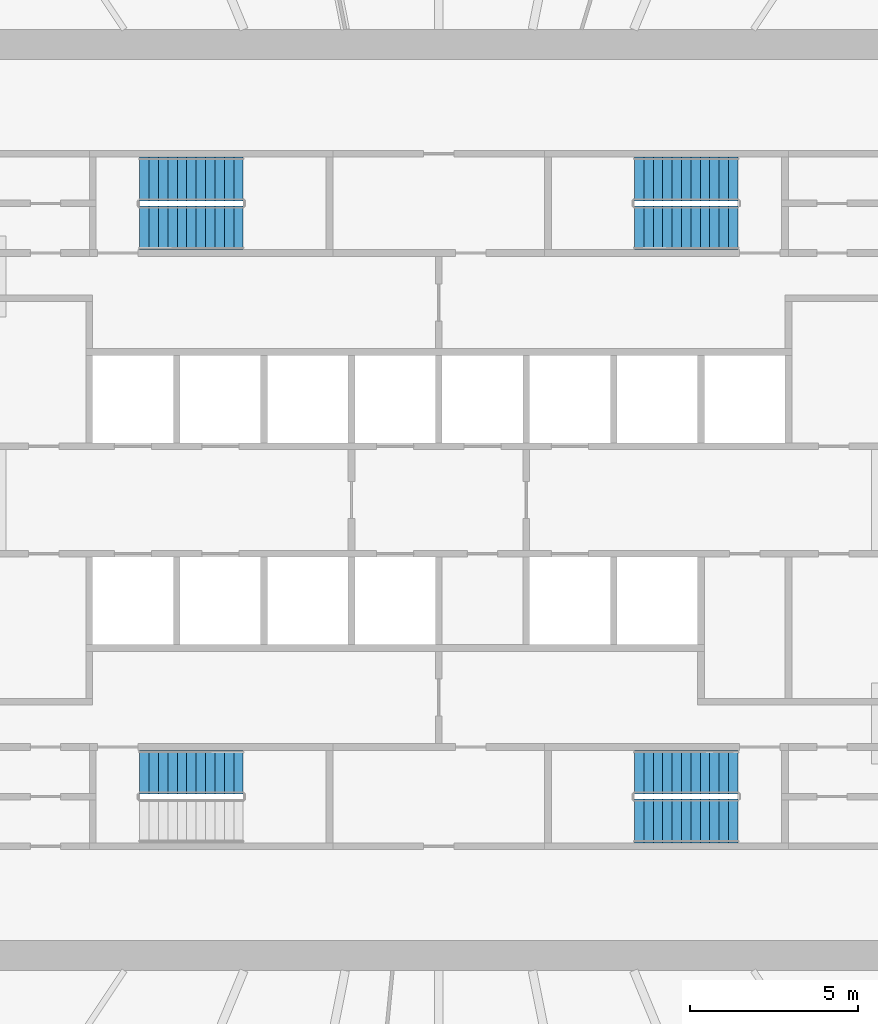
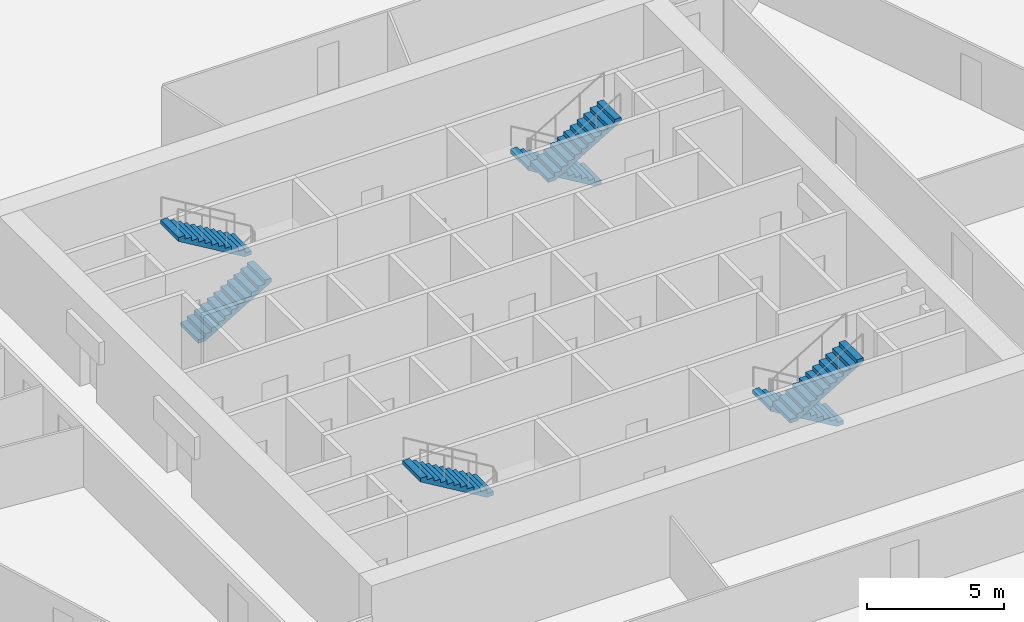
# One storey, part 8 of 9: 7 stair flights, 4 elements without a shape of their own.
"""IFC4 building model written with IfcOpenShell, lengths in metres."""

from ifc_helpers import new_model, si_unit, direction, frame, origin, place, context, subcontext, project, spatial, polyline, outline, extrude, material, type_object, element, aggregate, save


model = new_model("IFC4")

# Units and contexts
model_context = context("Model", 3, precision=1e-05, world=origin(), true_north=direction((0.0, 1.0)))
body_context = subcontext(model_context, "Body", "Model", "MODEL_VIEW")
ifc_project = project(units=[si_unit("LENGTHUNIT", "METRE"), si_unit("AREAUNIT", "SQUARE_METRE"), si_unit("VOLUMEUNIT", "CUBIC_METRE"), si_unit("PLANEANGLEUNIT", "RADIAN"), si_unit("MASSUNIT", "GRAM", prefix="KILO")], contexts=[model_context])

# Site, building, storey
site_placement = place(None, origin())
site = spatial("IfcSite", under=ifc_project, at=site_placement, CompositionType="ELEMENT")
building_placement = place(site_placement, origin())
building = spatial("IfcBuilding", under=site, at=building_placement, Name="Corvane Civic Tower", CompositionType="ELEMENT")
storey_placement = place(building_placement, frame((0.0, 0.0, 164.0)))
storey = spatial("IfcBuildingStorey", under=building, at=storey_placement, Name="L38", CompositionType="ELEMENT", Elevation=164.0)

# Stair, stair flights
ifc_material_1 = material(Name="Concrete C40/50", Category="concrete")
stair_type = type_object("IfcStairType", Name="ST-STAIR-HALFTURN", PredefinedType="HALF_TURN_STAIR", material=ifc_material_1)
stair_1_placement = place(storey_placement, origin())
stair_1 = element("IfcStair", 1, at=stair_1_placement, inside=storey, type_object=stair_type, Name="L38 Exit stair ST1", PredefinedType="HALF_TURN_STAIR")
ifc_material_2 = material(Name="Concrete C40/50", Category="concrete")
stair_flight_type = type_object("IfcStairFlightType", Name="ST-FLIGHT-RC", PredefinedType="STRAIGHT", material=ifc_material_2)
stair_flight_1_placement = place(storey_placement, frame((8.89990234375, 9.550048828125, 0.0), z_axis=(0.0, 0.0, 1.0), x_axis=(-1.0, 0.0, 0.0)))
stair_flight_1 = element("IfcStairFlight", 2, at=stair_flight_1_placement, type_object=stair_flight_type, Name="ST1 flight 1", NumberOfRisers=12, NumberOfTreads=11, PredefinedType="STRAIGHT", RiserHeight=0.166666667, TreadLength=0.28, context=body_context, shape_type="SweptSolid", body=[
    extrude(outline(polyline([(0.0, 0.0), (0.0, 0.166748046875), (0.280029296875, 0.166748046875), (0.280029296875, 0.333251953125), (0.56005859375, 0.333251953125), (0.56005859375, 0.5), (0.840087890625, 0.5), (0.840087890625, 0.666748046875), (1.1201171875, 0.666748046875), (1.1201171875, 0.833251953125), (1.39990234375, 0.833251953125), (1.39990234375, 1.0), (1.679931640625, 1.0), (1.679931640625, 1.166748046875), (1.9599609375, 1.166748046875), (1.9599609375, 1.333251953125), (2.239990234375, 1.333251953125), (2.239990234375, 1.5), (2.52001953125, 1.5), (2.52001953125, 1.666748046875), (2.800048828125, 1.666748046875), (2.800048828125, 1.833251953125), (3.080078125, 1.833251953125), (3.080078125, 2.0), (3.080078125, 1.658935546875), (0.29296875, 0.0), (0.0, 0.0)])), frame((0.0, 0.64990234375, 0.0), z_axis=(0.0, -1.0, 0.0), x_axis=(1.0, 0.0, 0.0)), (0.0, 0.0, 1.0), 1.300048828125),
])
stair_flight_2_placement = place(storey_placement, frame((5.820068359375, 8.10009765625, 2.0), z_axis=(0.0, 0.0, 1.0), x_axis=(1.0, 0.0, 0.0)))
stair_flight_2 = element("IfcStairFlight", 3, at=stair_flight_2_placement, type_object=stair_flight_type, Name="ST1 flight 2", NumberOfRisers=12, NumberOfTreads=11, PredefinedType="STRAIGHT", RiserHeight=0.166666667, TreadLength=0.28, context=body_context, shape_type="SweptSolid", body=[
    extrude(outline(polyline([(0.0, 0.0), (0.0, 0.166748046875), (0.280029296875, 0.166748046875), (0.280029296875, 0.333251953125), (0.56005859375, 0.333251953125), (0.56005859375, 0.5), (0.840087890625, 0.5), (0.840087890625, 0.666748046875), (1.1201171875, 0.666748046875), (1.1201171875, 0.833251953125), (1.39990234375, 0.833251953125), (1.39990234375, 1.0), (1.679931640625, 1.0), (1.679931640625, 1.166748046875), (1.9599609375, 1.166748046875), (1.9599609375, 1.333251953125), (2.239990234375, 1.333251953125), (2.239990234375, 1.5), (2.52001953125, 1.5), (2.52001953125, 1.666748046875), (2.800048828125, 1.666748046875), (2.800048828125, 1.833251953125), (3.080078125, 1.833251953125), (3.080078125, 2.0), (3.080078125, 1.658935546875), (0.29296875, 0.0), (0.0, 0.0)])), frame((0.0, 0.64990234375, 0.0), z_axis=(0.0, -1.0, 0.0), x_axis=(1.0, 0.0, 0.0)), (0.0, 0.0, 1.0), 1.300048828125),
])
aggregate(stair_1, [stair_flight_1, stair_flight_2])

stair_2_placement = place(storey_placement, origin())
stair_2 = element("IfcStair", 4, at=stair_2_placement, inside=storey, type_object=stair_type, Name="L38 Exit stair ST2", PredefinedType="HALF_TURN_STAIR")
stair_flight_3_placement = place(storey_placement, frame((8.89990234375, -8.10009765625, 0.0), z_axis=(0.0, 0.0, 1.0), x_axis=(-1.0, 0.0, 0.0)))
stair_flight_3 = element("IfcStairFlight", 5, at=stair_flight_3_placement, type_object=stair_flight_type, Name="ST2 flight 1", NumberOfRisers=12, NumberOfTreads=11, PredefinedType="STRAIGHT", RiserHeight=0.166666667, TreadLength=0.28, context=body_context, shape_type="SweptSolid", body=[
    extrude(outline(polyline([(0.0, 0.0), (0.0, 0.166748046875), (0.280029296875, 0.166748046875), (0.280029296875, 0.333251953125), (0.56005859375, 0.333251953125), (0.56005859375, 0.5), (0.840087890625, 0.5), (0.840087890625, 0.666748046875), (1.1201171875, 0.666748046875), (1.1201171875, 0.833251953125), (1.39990234375, 0.833251953125), (1.39990234375, 1.0), (1.679931640625, 1.0), (1.679931640625, 1.166748046875), (1.9599609375, 1.166748046875), (1.9599609375, 1.333251953125), (2.239990234375, 1.333251953125), (2.239990234375, 1.5), (2.52001953125, 1.5), (2.52001953125, 1.666748046875), (2.800048828125, 1.666748046875), (2.800048828125, 1.833251953125), (3.080078125, 1.833251953125), (3.080078125, 2.0), (3.080078125, 1.658935546875), (0.29296875, 0.0), (0.0, 0.0)])), frame((0.0, 0.64990234375, 0.0), z_axis=(0.0, -1.0, 0.0), x_axis=(1.0, 0.0, 0.0)), (0.0, 0.0, 1.0), 1.300048828125),
])
stair_flight_4_placement = place(storey_placement, frame((5.820068359375, -9.550048828125, 2.0), z_axis=(0.0, 0.0, 1.0), x_axis=(1.0, 0.0, 0.0)))
stair_flight_4 = element("IfcStairFlight", 6, at=stair_flight_4_placement, type_object=stair_flight_type, Name="ST2 flight 2", NumberOfRisers=12, NumberOfTreads=11, PredefinedType="STRAIGHT", RiserHeight=0.166666667, TreadLength=0.28, context=body_context, shape_type="SweptSolid", body=[
    extrude(outline(polyline([(0.0, 0.0), (0.0, 0.166748046875), (0.280029296875, 0.166748046875), (0.280029296875, 0.333251953125), (0.56005859375, 0.333251953125), (0.56005859375, 0.5), (0.840087890625, 0.5), (0.840087890625, 0.666748046875), (1.1201171875, 0.666748046875), (1.1201171875, 0.833251953125), (1.39990234375, 0.833251953125), (1.39990234375, 1.0), (1.679931640625, 1.0), (1.679931640625, 1.166748046875), (1.9599609375, 1.166748046875), (1.9599609375, 1.333251953125), (2.239990234375, 1.333251953125), (2.239990234375, 1.5), (2.52001953125, 1.5), (2.52001953125, 1.666748046875), (2.800048828125, 1.666748046875), (2.800048828125, 1.833251953125), (3.080078125, 1.833251953125), (3.080078125, 2.0), (3.080078125, 1.658935546875), (0.29296875, 0.0), (0.0, 0.0)])), frame((0.0, 0.64990234375, 0.0), z_axis=(0.0, -1.0, 0.0), x_axis=(1.0, 0.0, 0.0)), (0.0, 0.0, 1.0), 1.300048828125),
])
aggregate(stair_2, [stair_flight_3, stair_flight_4])

# Stair, stair flight
stair_3_placement = place(storey_placement, origin())
stair_3 = element("IfcStair", 7, at=stair_3_placement, inside=storey, type_object=stair_type, Name="L38 Exit stair ST3", PredefinedType="HALF_TURN_STAIR")
stair_flight_5_placement = place(storey_placement, frame((-5.820068359375, -8.10009765625, 2.0), z_axis=(0.0, 0.0, 1.0), x_axis=(-1.0, 0.0, 0.0)))
stair_flight_5 = element("IfcStairFlight", 8, at=stair_flight_5_placement, type_object=stair_flight_type, Name="ST3 flight 2", NumberOfRisers=12, NumberOfTreads=11, PredefinedType="STRAIGHT", RiserHeight=0.166666667, TreadLength=0.28, context=body_context, shape_type="SweptSolid", body=[
    extrude(outline(polyline([(0.0, 0.0), (0.0, 0.166748046875), (0.280029296875, 0.166748046875), (0.280029296875, 0.333251953125), (0.56005859375, 0.333251953125), (0.56005859375, 0.5), (0.840087890625, 0.5), (0.840087890625, 0.666748046875), (1.1201171875, 0.666748046875), (1.1201171875, 0.833251953125), (1.39990234375, 0.833251953125), (1.39990234375, 1.0), (1.679931640625, 1.0), (1.679931640625, 1.166748046875), (1.9599609375, 1.166748046875), (1.9599609375, 1.333251953125), (2.239990234375, 1.333251953125), (2.239990234375, 1.5), (2.52001953125, 1.5), (2.52001953125, 1.666748046875), (2.800048828125, 1.666748046875), (2.800048828125, 1.833251953125), (3.080078125, 1.833251953125), (3.080078125, 2.0), (3.080078125, 1.658935546875), (0.29296875, 0.0), (0.0, 0.0)])), frame((0.0, 0.64990234375, 0.0), z_axis=(0.0, -1.0, 0.0), x_axis=(1.0, 0.0, 0.0)), (0.0, 0.0, 1.0), 1.300048828125),
])
aggregate(stair_3, [stair_flight_5])

# Stair, stair flights
stair_4_placement = place(storey_placement, origin())
stair_4 = element("IfcStair", 9, at=stair_4_placement, inside=storey, type_object=stair_type, Name="L38 Exit stair ST4", PredefinedType="HALF_TURN_STAIR")
stair_flight_6_placement = place(storey_placement, frame((-8.89990234375, 8.10009765625, 0.0), z_axis=(0.0, 0.0, 1.0), x_axis=(1.0, 0.0, 0.0)))
stair_flight_6 = element("IfcStairFlight", 10, at=stair_flight_6_placement, type_object=stair_flight_type, Name="ST4 flight 1", NumberOfRisers=12, NumberOfTreads=11, PredefinedType="STRAIGHT", RiserHeight=0.166666667, TreadLength=0.28, context=body_context, shape_type="SweptSolid", body=[
    extrude(outline(polyline([(0.0, 0.0), (0.0, 0.166748046875), (0.280029296875, 0.166748046875), (0.280029296875, 0.333251953125), (0.56005859375, 0.333251953125), (0.56005859375, 0.5), (0.840087890625, 0.5), (0.840087890625, 0.666748046875), (1.1201171875, 0.666748046875), (1.1201171875, 0.833251953125), (1.39990234375, 0.833251953125), (1.39990234375, 1.0), (1.679931640625, 1.0), (1.679931640625, 1.166748046875), (1.9599609375, 1.166748046875), (1.9599609375, 1.333251953125), (2.239990234375, 1.333251953125), (2.239990234375, 1.5), (2.52001953125, 1.5), (2.52001953125, 1.666748046875), (2.800048828125, 1.666748046875), (2.800048828125, 1.833251953125), (3.080078125, 1.833251953125), (3.080078125, 2.0), (3.080078125, 1.658935546875), (0.29296875, 0.0), (0.0, 0.0)])), frame((0.0, 0.64990234375, 0.0), z_axis=(0.0, -1.0, 0.0), x_axis=(1.0, 0.0, 0.0)), (0.0, 0.0, 1.0), 1.300048828125),
])
stair_flight_7_placement = place(storey_placement, frame((-5.820068359375, 9.550048828125, 2.0), z_axis=(0.0, 0.0, 1.0), x_axis=(-1.0, 0.0, 0.0)))
stair_flight_7 = element("IfcStairFlight", 11, at=stair_flight_7_placement, type_object=stair_flight_type, Name="ST4 flight 2", NumberOfRisers=12, NumberOfTreads=11, PredefinedType="STRAIGHT", RiserHeight=0.166666667, TreadLength=0.28, context=body_context, shape_type="SweptSolid", body=[
    extrude(outline(polyline([(0.0, 0.0), (0.0, 0.166748046875), (0.280029296875, 0.166748046875), (0.280029296875, 0.333251953125), (0.56005859375, 0.333251953125), (0.56005859375, 0.5), (0.840087890625, 0.5), (0.840087890625, 0.666748046875), (1.1201171875, 0.666748046875), (1.1201171875, 0.833251953125), (1.39990234375, 0.833251953125), (1.39990234375, 1.0), (1.679931640625, 1.0), (1.679931640625, 1.166748046875), (1.9599609375, 1.166748046875), (1.9599609375, 1.333251953125), (2.239990234375, 1.333251953125), (2.239990234375, 1.5), (2.52001953125, 1.5), (2.52001953125, 1.666748046875), (2.800048828125, 1.666748046875), (2.800048828125, 1.833251953125), (3.080078125, 1.833251953125), (3.080078125, 2.0), (3.080078125, 1.658935546875), (0.29296875, 0.0), (0.0, 0.0)])), frame((0.0, 0.64990234375, 0.0), z_axis=(0.0, -1.0, 0.0), x_axis=(1.0, 0.0, 0.0)), (0.0, 0.0, 1.0), 1.300048828125),
])
aggregate(stair_4, [stair_flight_6, stair_flight_7])

save(model, "model.ifc")
